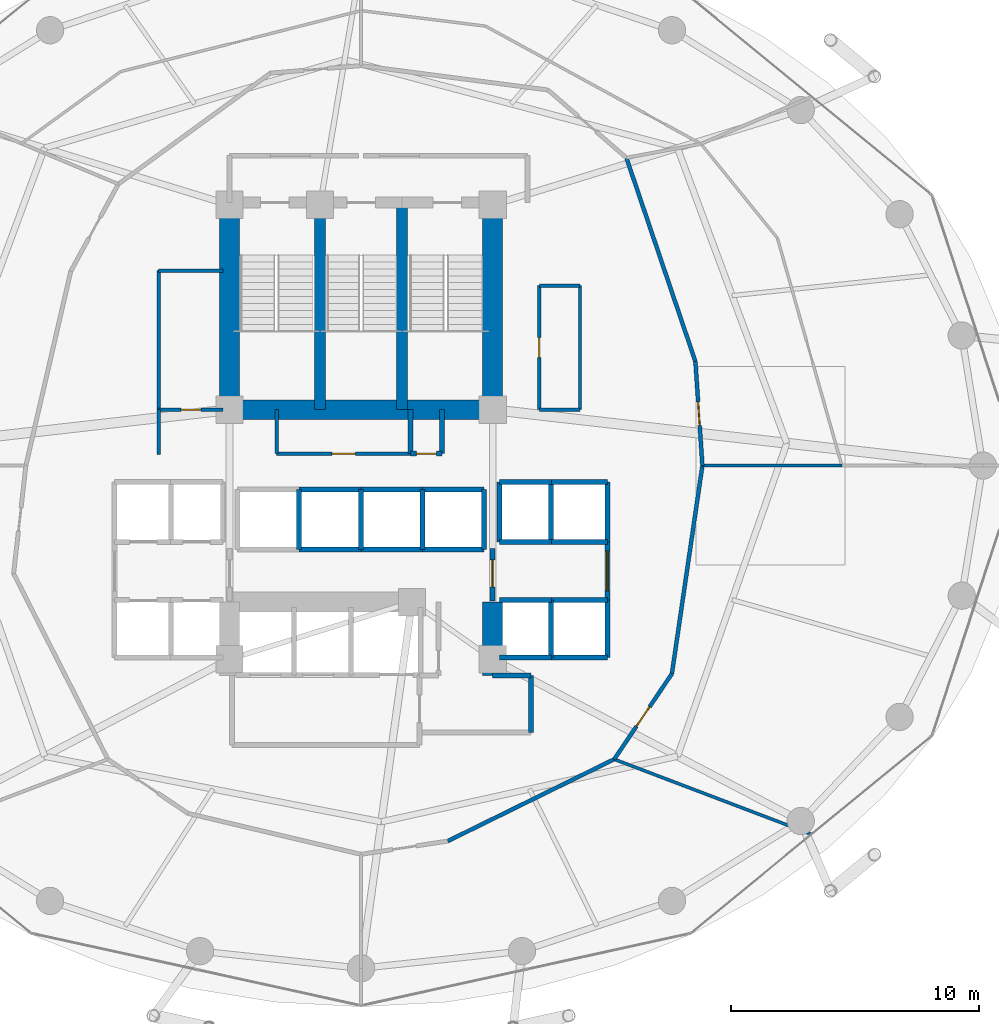
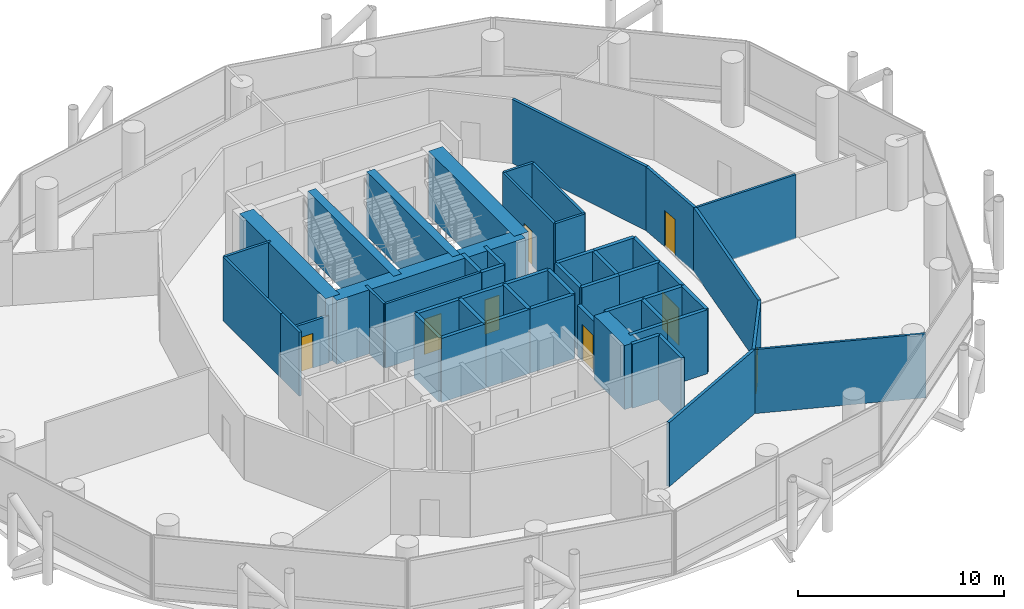
# One storey, part 22 of 26: 53 walls, 8 doors, 8 openings.
"""IFC4 building model written with IfcOpenShell, lengths in metres."""

from ifc_helpers import new_model, si_unit, direction, frame, frame_2d, origin, place, context, subcontext, project, spatial, rectangle, extrude, material, layer, layer_set, type_object, element, fill, save


model = new_model("IFC4")

# Units and contexts
model_context = context("Model", 3, precision=1e-05, world=origin(), true_north=direction((0.0, 1.0)))
body_context = subcontext(model_context, "Body", "Model", "MODEL_VIEW")
ifc_project = project(units=[si_unit("LENGTHUNIT", "METRE"), si_unit("AREAUNIT", "SQUARE_METRE"), si_unit("VOLUMEUNIT", "CUBIC_METRE"), si_unit("PLANEANGLEUNIT", "RADIAN"), si_unit("MASSUNIT", "GRAM", prefix="KILO")], contexts=[model_context])

# Site, building, storey
site_placement = place(None, origin())
site = spatial("IfcSite", under=ifc_project, at=site_placement, CompositionType="ELEMENT")
building_placement = place(site_placement, origin())
building = spatial("IfcBuilding", under=site, at=building_placement, Name="Nuhasar Tower", CompositionType="ELEMENT")
storey_placement = place(building_placement, frame((0.0, 0.0, 53.39990234375)))
storey = spatial("IfcBuildingStorey", under=building, at=storey_placement, Name="L12", CompositionType="ELEMENT", Elevation=53.39990234375)

# Walls
ifc_material_1 = material(Name="Concrete C50/60", Category="concrete")
ifc_layer_1 = layer(ifc_material_1, 0.449951171875)
ifc_layer_set_1 = layer_set([ifc_layer_1], Name="Concrete C50/60")
wall_type_1 = type_object("IfcWallType", Name="WL-CORE-450", PredefinedType="SHEAR", material=ifc_layer_set_1)
for number, where, z_axis, x_axis, name in (
    (1, (37.35009765625, 29.050048828125, 0.0), (0.0, 0.0, 1.0), (0.0, 1.0, 0.0), "L12 Stairwell Shear Wall ST01-E"),
    (2, (40.64990234375, 29.050048828125, 0.0), (0.0, 0.0, 1.0), (0.0, 1.0, 0.0), "L12 Stairwell Shear Wall ST03-E"),
):
    element("IfcWall", number, at=place(storey_placement, frame(where, z_axis=z_axis, x_axis=x_axis)), inside=storey, type_object=wall_type_1, Name=name, PredefinedType="SHEAR", context=body_context, shape_type="SweptSolid", body=[
        extrude(rectangle(XDim=8.349853515625, YDim=0.449951171875, at=frame_2d((4.1748046875, 0.0))), origin(), (0.0, 0.0, 1.0), 3.800048828125),
    ])
ifc_material_2 = material(Name="Concrete C80/95", Category="concrete")
ifc_layer_2 = layer(ifc_material_2, 0.800048828125)
ifc_layer_set_2 = layer_set([ifc_layer_2], Name="Concrete C80/95")
wall_type_2 = type_object("IfcWallType", Name="WL-CORE-800", PredefinedType="SHEAR", material=ifc_layer_set_2)
for number, where, z_axis, x_axis, name in (
    (3, (33.699951171875, 29.050048828125, 0.0), (0.0, 0.0, 1.0), (0.0, 1.0, 0.0), "L12 Core Shear Wall CW-NW CW-800"),
    (4, (44.300048828125, 29.050048828125, 0.0), (0.0, 0.0, 1.0), (0.0, 1.0, 0.0), "L12 Core Shear Wall CW-NE CW-800"),
):
    element("IfcWall", number, at=place(storey_placement, frame(where, z_axis=z_axis, x_axis=x_axis)), inside=storey, type_object=wall_type_2, Name=name, PredefinedType="SHEAR", context=body_context, shape_type="SweptSolid", body=[
        extrude(rectangle(XDim=8.349853515625, YDim=0.800048828125, at=frame_2d((4.1748046875, 0.0))), origin(), (0.0, 0.0, 1.0), 3.800048828125),
    ])
wall_1_placement = place(storey_placement, frame((44.300048828125, 18.35009765625, 0.0), z_axis=(0.0, 0.0, 1.0), x_axis=(0.0, 1.0, 0.0)))
element("IfcWall", 5, at=wall_1_placement, inside=storey, type_object=wall_type_2, Name="L12 Core Shear Wall CW-SE CW-800", PredefinedType="SHEAR", context=body_context, shape_type="SweptSolid", body=[
    extrude(rectangle(XDim=2.949951171875, YDim=0.800048828125, at=frame_2d((1.47509765625, 0.0))), origin(), (0.0, 0.0, 1.0), 3.800048828125),
])
wall_2_placement = place(storey_placement, frame((33.699951171875, 29.050048828125, 0.0), z_axis=(0.0, 0.0, 1.0), x_axis=(1.0, 0.0, 0.0)))
element("IfcWall", 6, at=wall_2_placement, inside=storey, type_object=wall_type_2, Name="L12 Core Shear Wall CW-N1 CW-800", PredefinedType="SHEAR", context=body_context, shape_type="SweptSolid", body=[
    extrude(rectangle(XDim=10.60009765625, YDim=0.800048828125, at=frame_2d((5.300048828125, 0.0))), origin(), (0.0, 0.0, 1.0), 3.800048828125),
])

# Wall, opening, door
ifc_material_3 = material(Name="Gypsum Board", Category="gypsum")
ifc_layer_3 = layer(ifc_material_3, 0.159912109375)
ifc_layer_set_3 = layer_set([ifc_layer_3], Name="Gypsum Board")
wall_type_3 = type_object("IfcWallType", Name="WL-CORR-160", PredefinedType="PARTITIONING", material=ifc_layer_set_3)
wall_3_placement = place(storey_placement, frame((52.469970703125, 30.987060546875, 0.0), z_axis=(0.0, 0.0, 1.0), x_axis=(0.06673138835, -0.997770976632, 0.0)))
wall_3 = element("IfcWall", 7, at=wall_3_placement, inside=storey, type_object=wall_type_3, Name="L12 Interior Partition CORR-00", PredefinedType="PARTITIONING", context=body_context, shape_type="SweptSolid", body=[
    extrude(rectangle(XDim=4.1962890625, YDim=0.159912109375, at=frame_2d((2.09814453125, 0.0))), origin(), (0.0, 0.0, 1.0), 3.800048828125),
])
opening_1_placement = place(wall_3_placement, frame((1.623046875, 0.0, 0.0)))
opening_1 = element("IfcOpeningElement", 8, at=opening_1_placement, cuts=wall_3, Name="Opening DO-01", PredefinedType="OPENING", context=body_context, shape_type="SweptSolid", body=[
    extrude(rectangle(XDim=0.949951171875, YDim=2.14990234375, at=frame_2d((0.47509765625, 1.074951171875))), frame((0.0, 0.08984375, 0.0), z_axis=(0.0, -1.0, 0.0), x_axis=(1.0, 0.0, 0.0)), (0.0, 0.0, 1.0), 0.179931640625),
])
ifc_material_4 = material(Name="Timber Oak", Category="wood")
door_type_1 = type_object("IfcDoorType", Name="DR-OFFICE-FD30-950", OperationType="NOTDEFINED", PredefinedType="DOOR", material=ifc_material_4)
door_1_placement = place(opening_1_placement, origin())
door_1 = element("IfcDoor", 9, at=door_1_placement, inside=storey, type_object=door_type_1, Name="L12 Legal Chambers A Entry Door", OperationType="SINGLE_SWING_LEFT", OverallHeight=2.14990234375, OverallWidth=0.949951171875, PredefinedType="DOOR", context=body_context, shape_type="SweptSolid", body=[
    extrude(rectangle(XDim=0.949951171875, YDim=2.14990234375, at=frame_2d((0.47509765625, 1.074951171875))), frame((0.0, 0.02490234375, 0.0), z_axis=(0.0, -1.0, 0.0), x_axis=(1.0, 0.0, 0.0)), (0.0, 0.0, 1.0), 0.050048828125),
])
fill(opening_1, door_1)

# Walls
wall_4_placement = place(storey_placement, frame((52.469970703125, 30.987060546875, 0.0), z_axis=(0.0, 0.0, 1.0), x_axis=(-0.320794809252, 0.947148716072, 0.0)))
element("IfcWall", 10, at=wall_4_placement, inside=storey, type_object=wall_type_3, Name="L12 Interior Partition CORR-02", PredefinedType="PARTITIONING", context=body_context, shape_type="SweptSolid", body=[
    extrude(rectangle(XDim=8.669189453125, YDim=0.159912109375, at=frame_2d((4.33447265625, 0.0))), origin(), (0.0, 0.0, 1.0), 3.800048828125),
])
wall_5_placement = place(storey_placement, frame((42.493896484375, 11.674072265625, 0.0), z_axis=(0.0, 0.0, 1.0), x_axis=(0.897439047431, 0.441138477291, 0.0)))
element("IfcWall", 11, at=wall_5_placement, inside=storey, type_object=wall_type_3, Name="L12 Interior Partition CORR-38", PredefinedType="PARTITIONING", context=body_context, shape_type="SweptSolid", body=[
    extrude(rectangle(XDim=7.471435546875, YDim=0.159912109375, at=frame_2d((3.73583984375, 0.0))), origin(), (0.0, 0.0, 1.0), 3.800048828125),
])

# Wall, opening, door
wall_6_placement = place(storey_placement, frame((51.52197265625, 18.4140625, 0.0), z_axis=(0.0, 0.0, 1.0), x_axis=(-0.559181123292, -0.829045518264, 0.0)))
wall_6 = element("IfcWall", 12, at=wall_6_placement, inside=storey, type_object=wall_type_3, Name="L12 Interior Partition CORR-42", PredefinedType="PARTITIONING", context=body_context, shape_type="SweptSolid", body=[
    extrude(rectangle(XDim=4.154296875, YDim=0.159912109375, at=frame_2d((2.0771484375, 0.0))), origin(), (0.0, 0.0, 1.0), 3.800048828125),
])
opening_2_placement = place(wall_6_placement, frame((1.60205078125, 0.0, 0.0)))
opening_2 = element("IfcOpeningElement", 13, at=opening_2_placement, cuts=wall_6, Name="Opening DO-01", PredefinedType="OPENING", context=body_context, shape_type="SweptSolid", body=[
    extrude(rectangle(XDim=0.949951171875, YDim=2.14990234375, at=frame_2d((0.47509765625, 1.074951171875))), frame((0.0, 0.08984375, 0.0), z_axis=(0.0, -1.0, 0.0), x_axis=(1.0, 0.0, 0.0)), (0.0, 0.0, 1.0), 0.179931640625),
])
door_2_placement = place(opening_2_placement, origin())
door_2 = element("IfcDoor", 14, at=door_2_placement, inside=storey, type_object=door_type_1, Name="L12 Evidence Filing Store Entry Door", OperationType="SINGLE_SWING_LEFT", OverallHeight=2.14990234375, OverallWidth=0.949951171875, PredefinedType="DOOR", context=body_context, shape_type="SweptSolid", body=[
    extrude(rectangle(XDim=0.949951171875, YDim=2.14990234375, at=frame_2d((0.47509765625, 1.074951171875))), frame((0.0, 0.02490234375, 0.0), z_axis=(0.0, -1.0, 0.0), x_axis=(1.0, 0.0, 0.0)), (0.0, 0.0, 1.0), 0.050048828125),
])
fill(opening_2, door_2)

# Wall
wall_7_placement = place(storey_placement, frame((51.52197265625, 18.4140625, 0.0), z_axis=(0.0, 0.0, 1.0), x_axis=(0.14489272673, 0.989447369869, 0.0)))
element("IfcWall", 15, at=wall_7_placement, inside=storey, type_object=wall_type_3, Name="L12 Interior Partition CORR-44", PredefinedType="PARTITIONING", context=body_context, shape_type="SweptSolid", body=[
    extrude(rectangle(XDim=8.475341796875, YDim=0.159912109375, at=frame_2d((4.23779296875, 0.0))), origin(), (0.0, 0.0, 1.0), 3.800048828125),
])

# Wall, opening, door
ifc_material_5 = material(Name="Concrete C45/55", Category="concrete")
ifc_layer_4 = layer(ifc_material_5, 0.199951171875)
ifc_layer_set_4 = layer_set([ifc_layer_4], Name="Concrete C45/55")
wall_type_4 = type_object("IfcWallType", Name="WL-LOBBY-200", PredefinedType="SOLIDWALL", material=ifc_layer_set_4)
wall_8_placement = place(storey_placement, frame((48.929931640625, 21.3798828125, 0.0), z_axis=(0.0, 0.0, 1.0), x_axis=(0.0, 1.0, 0.0)))
wall_8 = element("IfcWall", 16, at=wall_8_placement, inside=storey, type_object=wall_type_4, Name="L12 Interior Partition LLBM-E", PredefinedType="SOLIDWALL", context=body_context, shape_type="SweptSolid", body=[
    extrude(rectangle(XDim=2.340087890625, YDim=0.199951171875, at=frame_2d((1.169921875, 0.0))), origin(), (0.0, 0.0, 1.0), 3.800048828125),
])
opening_3_placement = place(wall_8_placement, frame((0.3701171875, 0.0, 0.0)))
opening_3 = element("IfcOpeningElement", 17, at=opening_3_placement, cuts=wall_8, Name="Opening DC-01", PredefinedType="OPENING", context=body_context, shape_type="SweptSolid", body=[
    extrude(rectangle(XDim=1.60009765625, YDim=2.199951171875, at=frame_2d((0.800048828125, 1.10009765625))), frame((0.0, 0.10986328125, 0.0), z_axis=(0.0, -1.0, 0.0), x_axis=(1.0, 0.0, 0.0)), (0.0, 0.0, 1.0), 0.219970703125),
])
ifc_material_6 = material(Name="Steel S355", Category="steel")
door_type_2 = type_object("IfcDoorType", Name="DR-CORR-FD60-1600", OperationType="DOUBLE_DOOR_SINGLE_SWING", PredefinedType="DOOR", material=ifc_material_6)
door_3_placement = place(opening_3_placement, origin())
door_3 = element("IfcDoor", 18, at=door_3_placement, inside=storey, type_object=door_type_2, Name="L12 Mid-Rise Lift Lobby East Entry", OperationType="DOUBLE_DOOR_SINGLE_SWING", OverallHeight=2.199951171875, OverallWidth=1.60009765625, PredefinedType="DOOR", context=body_context, shape_type="SweptSolid", body=[
    extrude(rectangle(XDim=1.60009765625, YDim=2.199951171875, at=frame_2d((0.800048828125, 1.10009765625))), frame((0.0, 0.02490234375, 0.0), z_axis=(0.0, -1.0, 0.0), x_axis=(1.0, 0.0, 0.0)), (0.0, 0.0, 1.0), 0.050048828125),
])
fill(opening_3, door_3)

wall_9_placement = place(storey_placement, frame((44.300048828125, 21.35009765625, 0.0), z_axis=(0.0, 0.0, 1.0), x_axis=(0.0, 1.0, 0.0)))
wall_9 = element("IfcWall", 19, at=wall_9_placement, inside=storey, type_object=wall_type_4, Name="L12 Interior Partition LLBH-E", PredefinedType="SOLIDWALL", context=body_context, shape_type="SweptSolid", body=[
    extrude(rectangle(XDim=2.099853515625, YDim=0.199951171875, at=frame_2d((1.0498046875, 0.0))), origin(), (0.0, 0.0, 1.0), 3.02001953125),
])
opening_4_placement = place(wall_9_placement, frame((0.550048828125, 0.0, 0.0)))
opening_4 = element("IfcOpeningElement", 20, at=opening_4_placement, cuts=wall_9, Name="Opening DS-02", PredefinedType="OPENING", context=body_context, shape_type="SweptSolid", body=[
    extrude(rectangle(XDim=1.10009765625, YDim=2.14990234375, at=frame_2d((0.550048828125, 1.074951171875))), frame((0.0, 0.10986328125, 0.0), z_axis=(0.0, -1.0, 0.0), x_axis=(1.0, 0.0, 0.0)), (0.0, 0.0, 1.0), 0.219970703125),
])
door_type_3 = type_object("IfcDoorType", Name="DR-FFL-FD120-1100", OperationType="NOTDEFINED", PredefinedType="DOOR", material=ifc_material_6)
door_4_placement = place(opening_4_placement, origin())
door_4 = element("IfcDoor", 21, at=door_4_placement, inside=storey, type_object=door_type_3, Name="L12 High-Rise Lobby East Door", OperationType="SINGLE_SWING_RIGHT", OverallHeight=2.14990234375, OverallWidth=1.10009765625, PredefinedType="DOOR", context=body_context, shape_type="SweptSolid", body=[
    extrude(rectangle(XDim=1.10009765625, YDim=2.14990234375, at=frame_2d((0.550048828125, 1.074951171875))), frame((0.0, 0.02490234375, 0.0), z_axis=(0.0, -1.0, 0.0), x_axis=(1.0, 0.0, 0.0)), (0.0, 0.0, 1.0), 0.050048828125),
])
fill(opening_4, door_4)

# Walls
wall_10_placement = place(storey_placement, frame((45.85009765625, 16.050048828125, 0.0), z_axis=(0.0, 0.0, 1.0), x_axis=(0.0, 1.0, 0.0)))
element("IfcWall", 22, at=wall_10_placement, inside=storey, type_object=wall_type_4, Name="L12 Interior Partition SVLV-E", PredefinedType="SOLIDWALL", context=body_context, shape_type="SweptSolid", body=[
    extrude(rectangle(XDim=2.300048828125, YDim=0.199951171875, at=frame_2d((1.14990234375, 0.0))), origin(), (0.0, 0.0, 1.0), 3.800048828125),
])
wall_11_placement = place(storey_placement, frame((44.300048828125, 18.35009765625, 0.0), z_axis=(0.0, 0.0, 1.0), x_axis=(1.0, 0.0, 0.0)))
element("IfcWall", 23, at=wall_11_placement, inside=storey, type_object=wall_type_4, Name="L12 Interior Partition SVLV-N", PredefinedType="SOLIDWALL", context=body_context, shape_type="SweptSolid", body=[
    extrude(rectangle(XDim=1.550048828125, YDim=0.199951171875, at=frame_2d((0.77490234375, 0.0))), origin(), (0.0, 0.0, 1.0), 3.800048828125),
])
ifc_layer_5 = layer(ifc_material_3, 0.125)
ifc_layer_set_5 = layer_set([ifc_layer_5], Name="Gypsum Board")
wall_type_5 = type_object("IfcWallType", Name="WL-PART-125", PredefinedType="PARTITIONING", material=ifc_layer_set_5)
wall_12_placement = place(storey_placement, frame((52.75, 26.800048828125, 0.0), z_axis=(0.0, 0.0, 1.0), x_axis=(1.0, 0.0, 0.0)))
element("IfcWall", 24, at=wall_12_placement, inside=storey, type_object=wall_type_5, Name="L12 Interior Partition ORAD-00-S1", PredefinedType="PARTITIONING", context=body_context, shape_type="SweptSolid", body=[
    extrude(rectangle(XDim=5.616943359375, YDim=0.125, at=frame_2d((2.80859375, 0.0))), origin(), (0.0, 0.0, 1.0), 3.800048828125),
])
wall_13_placement = place(storey_placement, frame((49.198974609375, 14.969970703125, 0.0), z_axis=(0.0, 0.0, 1.0), x_axis=(0.934775541041, -0.355238916605, 0.0)))
element("IfcWall", 25, at=wall_13_placement, inside=storey, type_object=wall_type_5, Name="L12 Interior Partition ORAD-42", PredefinedType="PARTITIONING", context=body_context, shape_type="SweptSolid", body=[
    extrude(rectangle(XDim=8.470458984375, YDim=0.125, at=frame_2d((4.2353515625, 0.0))), origin(), (0.0, 0.0, 1.0), 3.800048828125),
])
ifc_layer_6 = layer(ifc_material_5, 0.199951171875)
ifc_layer_set_6 = layer_set([ifc_layer_6], Name="Concrete C45/55")
wall_type_6 = type_object("IfcWallType", Name="WL-SHAFT-200", PredefinedType="SOLIDWALL", material=ifc_layer_set_6)
for number, where, z_axis, x_axis, name in (
    (26, (41.0, 27.280029296875, 0.0), (0.0, 0.0, 1.0), (0.0, 1.0, 0.0), "L12 Interior Partition RSRN-W"),
    (27, (42.260009765625, 27.280029296875, 0.0), (0.0, 0.0, 1.0), (0.0, 1.0, 0.0), "L12 Interior Partition RSRN-E"),
):
    element("IfcWall", number, at=place(storey_placement, frame(where, z_axis=z_axis, x_axis=x_axis)), inside=storey, type_object=wall_type_6, Name=name, PredefinedType="SOLIDWALL", context=body_context, shape_type="SweptSolid", body=[
        extrude(rectangle(XDim=1.77001953125, YDim=0.199951171875, at=frame_2d((0.885009765625, 0.0))), origin(), (0.0, 0.0, 1.0), 3.800048828125),
    ])

# Wall, opening, door
wall_14_placement = place(storey_placement, frame((41.0, 27.280029296875, 0.0), z_axis=(0.0, 0.0, 1.0), x_axis=(1.0, 0.0, 0.0)))
wall_14 = element("IfcWall", 28, at=wall_14_placement, inside=storey, type_object=wall_type_6, Name="L12 Interior Partition RSRN-S", PredefinedType="SOLIDWALL", context=body_context, shape_type="SweptSolid", body=[
    extrude(rectangle(XDim=1.260009765625, YDim=0.199951171875, at=frame_2d((0.6298828125, 0.0))), origin(), (0.0, 0.0, 1.0), 3.800048828125),
])
opening_5_placement = place(wall_14_placement, frame((0.22998046875, 0.0, 0.0)))
opening_5 = element("IfcOpeningElement", 29, at=opening_5_placement, cuts=wall_14, Name="Opening DM-01", PredefinedType="OPENING", context=body_context, shape_type="SweptSolid", body=[
    extrude(rectangle(XDim=0.800048828125, YDim=2.050048828125, at=frame_2d((0.39990234375, 1.02490234375))), frame((0.0, 0.10986328125, 0.0), z_axis=(0.0, -1.0, 0.0), x_axis=(1.0, 0.0, 0.0)), (0.0, 0.0, 1.0), 0.219970703125),
])
door_type_4 = type_object("IfcDoorType", Name="DR-RISER-FD60-800", OperationType="NOTDEFINED", PredefinedType="DOOR", material=ifc_material_6)
door_5_placement = place(opening_5_placement, origin())
door_5 = element("IfcDoor", 30, at=door_5_placement, inside=storey, type_object=door_type_4, Name="L12 North Smoke Riser Door", OperationType="SINGLE_SWING_RIGHT", OverallHeight=2.050048828125, OverallWidth=0.800048828125, PredefinedType="DOOR", context=body_context, shape_type="SweptSolid", body=[
    extrude(rectangle(XDim=0.800048828125, YDim=2.050048828125, at=frame_2d((0.39990234375, 1.02490234375))), frame((0.0, 0.02490234375, 0.0), z_axis=(0.0, -1.0, 0.0), x_axis=(1.0, 0.0, 0.0)), (0.0, 0.0, 1.0), 0.050048828125),
])
fill(opening_5, door_5)

# Walls
for number, where, z_axis, x_axis, name in (
    (31, (44.570068359375, 23.719970703125, 0.0), (0.0, 0.0, 1.0), (1.0, 0.0, 0.0), "L12 Interior Partition SHF-PL-M01-S"),
    (32, (44.570068359375, 26.1298828125, 0.0), (0.0, 0.0, 1.0), (1.0, 0.0, 0.0), "L12 Interior Partition SHF-PL-M01-N"),
):
    element("IfcWall", number, at=place(storey_placement, frame(where, z_axis=z_axis, x_axis=x_axis)), inside=storey, type_object=wall_type_6, Name=name, PredefinedType="SOLIDWALL", context=body_context, shape_type="SweptSolid", body=[
        extrude(rectangle(XDim=2.10986328125, YDim=0.199951171875, at=frame_2d((1.054931640625, 0.0))), origin(), (0.0, 0.0, 1.0), 3.800048828125),
    ])
for number, where, z_axis, x_axis, name in (
    (33, (44.570068359375, 23.719970703125, 0.0), (0.0, 0.0, 1.0), (0.0, 1.0, 0.0), "L12 Interior Partition SHF-PL-M01-W"),
    (34, (46.64990234375, 23.719970703125, 0.0), (0.0, 0.0, 1.0), (0.0, 1.0, 0.0), "L12 Interior Partition SHF-PL-M01-E"),
):
    element("IfcWall", number, at=place(storey_placement, frame(where, z_axis=z_axis, x_axis=x_axis)), inside=storey, type_object=wall_type_6, Name=name, PredefinedType="SOLIDWALL", context=body_context, shape_type="SweptSolid", body=[
        extrude(rectangle(XDim=2.409912109375, YDim=0.199951171875, at=frame_2d((1.205078125, 0.0))), origin(), (0.0, 0.0, 1.0), 3.800048828125),
    ])
for number, where, z_axis, x_axis, name in (
    (35, (46.6201171875, 23.719970703125, 0.0), (0.0, 0.0, 1.0), (1.0, 0.0, 0.0), "L12 Interior Partition SHF-PL-M02-S"),
    (36, (46.6201171875, 26.1298828125, 0.0), (0.0, 0.0, 1.0), (1.0, 0.0, 0.0), "L12 Interior Partition SHF-PL-M02-N"),
):
    element("IfcWall", number, at=place(storey_placement, frame(where, z_axis=z_axis, x_axis=x_axis)), inside=storey, type_object=wall_type_6, Name=name, PredefinedType="SOLIDWALL", context=body_context, shape_type="SweptSolid", body=[
        extrude(rectangle(XDim=2.309814453125, YDim=0.199951171875, at=frame_2d((1.15478515625, 0.0))), origin(), (0.0, 0.0, 1.0), 3.800048828125),
    ])
wall_15_placement = place(storey_placement, frame((48.929931640625, 23.719970703125, 0.0), z_axis=(0.0, 0.0, 1.0), x_axis=(0.0, 1.0, 0.0)))
element("IfcWall", 37, at=wall_15_placement, inside=storey, type_object=wall_type_6, Name="L12 Interior Partition SHF-PL-M02-E", PredefinedType="SOLIDWALL", context=body_context, shape_type="SweptSolid", body=[
    extrude(rectangle(XDim=2.409912109375, YDim=0.199951171875, at=frame_2d((1.205078125, 0.0))), origin(), (0.0, 0.0, 1.0), 3.800048828125),
])
for number, where, z_axis, x_axis, name in (
    (38, (44.570068359375, 19.070068359375, 0.0), (0.0, 0.0, 1.0), (1.0, 0.0, 0.0), "L12 Interior Partition SHF-PL-M03-S"),
    (39, (44.570068359375, 21.3798828125, 0.0), (0.0, 0.0, 1.0), (1.0, 0.0, 0.0), "L12 Interior Partition SHF-PL-M03-N"),
):
    element("IfcWall", number, at=place(storey_placement, frame(where, z_axis=z_axis, x_axis=x_axis)), inside=storey, type_object=wall_type_6, Name=name, PredefinedType="SOLIDWALL", context=body_context, shape_type="SweptSolid", body=[
        extrude(rectangle(XDim=2.10986328125, YDim=0.199951171875, at=frame_2d((1.054931640625, 0.0))), origin(), (0.0, 0.0, 1.0), 3.800048828125),
    ])
for number, where, z_axis, x_axis, name in (
    (40, (46.64990234375, 19.070068359375, 0.0), (0.0, 0.0, 1.0), (0.0, 1.0, 0.0), "L12 Interior Partition SHF-PL-M03-E"),
    (41, (46.6201171875, 19.070068359375, 0.0), (0.0, 0.0, 1.0), (1.0, 0.0, 0.0), "L12 Interior Partition SHF-PL-M04-S"),
    (42, (46.6201171875, 21.3798828125, 0.0), (0.0, 0.0, 1.0), (1.0, 0.0, 0.0), "L12 Interior Partition SHF-PL-M04-N"),
    (43, (48.929931640625, 19.070068359375, 0.0), (0.0, 0.0, 1.0), (0.0, 1.0, 0.0), "L12 Interior Partition SHF-PL-M04-E"),
):
    element("IfcWall", number, at=place(storey_placement, frame(where, z_axis=z_axis, x_axis=x_axis)), inside=storey, type_object=wall_type_6, Name=name, PredefinedType="SOLIDWALL", context=body_context, shape_type="SweptSolid", body=[
        extrude(rectangle(XDim=2.309814453125, YDim=0.199951171875, at=frame_2d((1.15478515625, 0.0))), origin(), (0.0, 0.0, 1.0), 3.800048828125),
    ])
wall_16_placement = place(storey_placement, frame((36.510009765625, 23.419921875, 0.0), z_axis=(0.0, 0.0, 1.0), x_axis=(0.0, 1.0, 0.0)))
element("IfcWall", 44, at=wall_16_placement, inside=storey, type_object=wall_type_6, Name="L12 Interior Partition SHF-PL-H01-E", PredefinedType="SOLIDWALL", context=body_context, shape_type="SweptSolid", body=[
    extrude(rectangle(XDim=2.41015625, YDim=0.199951171875, at=frame_2d((1.205078125, 0.0))), origin(), (0.0, 0.0, 1.0), 3.800048828125),
])
for number, where, z_axis, x_axis, name in (
    (45, (36.5, 23.419921875, 0.0), (0.0, 0.0, 1.0), (1.0, 0.0, 0.0), "L12 Interior Partition SHF-PL-H02-S"),
    (46, (36.5, 25.830078125, 0.0), (0.0, 0.0, 1.0), (1.0, 0.0, 0.0), "L12 Interior Partition SHF-PL-H02-N"),
):
    element("IfcWall", number, at=place(storey_placement, frame(where, z_axis=z_axis, x_axis=x_axis)), inside=storey, type_object=wall_type_6, Name=name, PredefinedType="SOLIDWALL", context=body_context, shape_type="SweptSolid", body=[
        extrude(rectangle(XDim=2.5, YDim=0.199951171875, at=frame_2d((1.25, 0.0))), origin(), (0.0, 0.0, 1.0), 3.800048828125),
    ])
wall_17_placement = place(storey_placement, frame((38.989990234375, 23.419921875, 0.0), z_axis=(0.0, 0.0, 1.0), x_axis=(0.0, 1.0, 0.0)))
element("IfcWall", 47, at=wall_17_placement, inside=storey, type_object=wall_type_6, Name="L12 Interior Partition SHF-PL-H02-E", PredefinedType="SOLIDWALL", context=body_context, shape_type="SweptSolid", body=[
    extrude(rectangle(XDim=2.41015625, YDim=0.199951171875, at=frame_2d((1.205078125, 0.0))), origin(), (0.0, 0.0, 1.0), 3.800048828125),
])
for number, where, z_axis, x_axis, name in (
    (48, (38.97998046875, 23.419921875, 0.0), (0.0, 0.0, 1.0), (1.0, 0.0, 0.0), "L12 Interior Partition SHF-PL-H03-S"),
    (49, (38.97998046875, 25.830078125, 0.0), (0.0, 0.0, 1.0), (1.0, 0.0, 0.0), "L12 Interior Partition SHF-PL-H03-N"),
):
    element("IfcWall", number, at=place(storey_placement, frame(where, z_axis=z_axis, x_axis=x_axis)), inside=storey, type_object=wall_type_6, Name=name, PredefinedType="SOLIDWALL", context=body_context, shape_type="SweptSolid", body=[
        extrude(rectangle(XDim=2.5, YDim=0.199951171875, at=frame_2d((1.25, 0.0))), origin(), (0.0, 0.0, 1.0), 3.800048828125),
    ])
wall_18_placement = place(storey_placement, frame((41.469970703125, 23.419921875, 0.0), z_axis=(0.0, 0.0, 1.0), x_axis=(0.0, 1.0, 0.0)))
element("IfcWall", 50, at=wall_18_placement, inside=storey, type_object=wall_type_6, Name="L12 Interior Partition SHF-PL-H03-E", PredefinedType="SOLIDWALL", context=body_context, shape_type="SweptSolid", body=[
    extrude(rectangle(XDim=2.41015625, YDim=0.199951171875, at=frame_2d((1.205078125, 0.0))), origin(), (0.0, 0.0, 1.0), 3.800048828125),
])
for number, where, z_axis, x_axis, name in (
    (51, (41.4599609375, 23.419921875, 0.0), (0.0, 0.0, 1.0), (1.0, 0.0, 0.0), "L12 Interior Partition SHF-PL-H04-S"),
    (52, (41.4599609375, 25.830078125, 0.0), (0.0, 0.0, 1.0), (1.0, 0.0, 0.0), "L12 Interior Partition SHF-PL-H04-N"),
):
    element("IfcWall", number, at=place(storey_placement, frame(where, z_axis=z_axis, x_axis=x_axis)), inside=storey, type_object=wall_type_6, Name=name, PredefinedType="SOLIDWALL", context=body_context, shape_type="SweptSolid", body=[
        extrude(rectangle(XDim=2.5, YDim=0.199951171875, at=frame_2d((1.25, 0.0))), origin(), (0.0, 0.0, 1.0), 3.800048828125),
    ])
wall_19_placement = place(storey_placement, frame((43.9599609375, 23.419921875, 0.0), z_axis=(0.0, 0.0, 1.0), x_axis=(0.0, 1.0, 0.0)))
element("IfcWall", 53, at=wall_19_placement, inside=storey, type_object=wall_type_6, Name="L12 Interior Partition SHF-PL-H04-E", PredefinedType="SOLIDWALL", context=body_context, shape_type="SweptSolid", body=[
    extrude(rectangle(XDim=2.41015625, YDim=0.199951171875, at=frame_2d((1.205078125, 0.0))), origin(), (0.0, 0.0, 1.0), 3.800048828125),
])
ifc_material_7 = material(Name="Concrete C40/50 precast", Category="concrete")
ifc_layer_7 = layer(ifc_material_7, 0.139892578125)
ifc_layer_set_7 = layer_set([ifc_layer_7], Name="Concrete C40/50 precast")
wall_type_7 = type_object("IfcWallType", Name="WL-WET-140", PredefinedType="PARTITIONING", material=ifc_layer_set_7)
wall_20_placement = place(storey_placement, frame((35.60009765625, 27.280029296875, 0.0), z_axis=(0.0, 0.0, 1.0), x_axis=(0.0, 1.0, 0.0)))
element("IfcWall", 54, at=wall_20_placement, inside=storey, type_object=wall_type_7, Name="L12 Interior Partition CSVC-W", PredefinedType="PARTITIONING", context=body_context, shape_type="SweptSolid", body=[
    extrude(rectangle(XDim=1.77001953125, YDim=0.139892578125, at=frame_2d((0.885009765625, 0.0))), origin(), (0.0, 0.0, 1.0), 3.800048828125),
])

# Wall, opening, door
wall_21_placement = place(storey_placement, frame((35.60009765625, 27.280029296875, 0.0), z_axis=(0.0, 0.0, 1.0), x_axis=(1.0, 0.0, 0.0)))
wall_21 = element("IfcWall", 55, at=wall_21_placement, inside=storey, type_object=wall_type_7, Name="L12 Interior Partition CSVC-S", PredefinedType="PARTITIONING", context=body_context, shape_type="SweptSolid", body=[
    extrude(rectangle(XDim=5.39990234375, YDim=0.139892578125, at=frame_2d((2.699951171875, 0.0))), origin(), (0.0, 0.0, 1.0), 3.800048828125),
])
opening_6_placement = place(wall_21_placement, frame((2.22509765625, 0.0, 0.0)))
opening_6 = element("IfcOpeningElement", 56, at=opening_6_placement, cuts=wall_21, Name="Opening DA-01", PredefinedType="OPENING", context=body_context, shape_type="SweptSolid", body=[
    extrude(rectangle(XDim=0.949951171875, YDim=2.10009765625, at=frame_2d((0.47509765625, 1.050048828125))), frame((0.0, 0.080078125, 0.0), z_axis=(0.0, -1.0, 0.0), x_axis=(1.0, 0.0, 0.0)), (0.0, 0.0, 1.0), 0.159912109375),
])
door_type_5 = type_object("IfcDoorType", Name="DR-ACCWC-950", OperationType="NOTDEFINED", PredefinedType="DOOR", material=ifc_material_4)
door_6_placement = place(opening_6_placement, origin())
door_6 = element("IfcDoor", 57, at=door_6_placement, inside=storey, type_object=door_type_5, Name="L12 Core Accessible Restroom Door", OperationType="SINGLE_SWING_RIGHT", OverallHeight=2.10009765625, OverallWidth=0.949951171875, PredefinedType="DOOR", context=body_context, shape_type="SweptSolid", body=[
    extrude(rectangle(XDim=0.949951171875, YDim=2.10009765625, at=frame_2d((0.47509765625, 1.050048828125))), frame((0.0, 0.02490234375, 0.0), z_axis=(0.0, -1.0, 0.0), x_axis=(1.0, 0.0, 0.0)), (0.0, 0.0, 1.0), 0.050048828125),
])
fill(opening_6, door_6)

# Wall
wall_22_placement = place(storey_placement, frame((30.85009765625, 27.239990234375, 0.0), z_axis=(0.0, 0.0, 1.0), x_axis=(0.0, 1.0, 0.0)))
element("IfcWall", 58, at=wall_22_placement, inside=storey, type_object=wall_type_7, Name="L12 Interior Partition K3-FOY-W", PredefinedType="PARTITIONING", context=body_context, shape_type="SweptSolid", body=[
    extrude(rectangle(XDim=1.81005859375, YDim=0.139892578125, at=frame_2d((0.905029296875, 0.0))), origin(), (0.0, 0.0, 1.0), 3.800048828125),
])

# Wall, opening, door
wall_23_placement = place(storey_placement, frame((30.85009765625, 29.050048828125, 0.0), z_axis=(0.0, 0.0, 1.0), x_axis=(1.0, 0.0, 0.0)))
wall_23 = element("IfcWall", 59, at=wall_23_placement, inside=storey, type_object=wall_type_7, Name="L12 Interior Partition K3-NW-S", PredefinedType="PARTITIONING", context=body_context, shape_type="SweptSolid", body=[
    extrude(rectangle(XDim=2.599853515625, YDim=0.139892578125, at=frame_2d((1.2998046875, 0.0))), origin(), (0.0, 0.0, 1.0), 2.7900390625),
])
opening_7_placement = place(wall_23_placement, frame((0.89990234375, 0.0, 0.0)))
opening_7 = element("IfcOpeningElement", 60, at=opening_7_placement, cuts=wall_23, Name="Opening DM-01", PredefinedType="OPENING", context=body_context, shape_type="SweptSolid", body=[
    extrude(rectangle(XDim=0.800048828125, YDim=2.050048828125, at=frame_2d((0.39990234375, 1.02490234375))), frame((0.0, 0.080078125, 0.0), z_axis=(0.0, -1.0, 0.0), x_axis=(1.0, 0.0, 0.0)), (0.0, 0.0, 1.0), 0.159912109375),
])
door_7_placement = place(opening_7_placement, origin())
door_7 = element("IfcDoor", 61, at=door_7_placement, inside=storey, type_object=door_type_4, Name="L12 NW Electrical Room Door", OperationType="SINGLE_SWING_RIGHT", OverallHeight=2.050048828125, OverallWidth=0.800048828125, PredefinedType="DOOR", context=body_context, shape_type="SweptSolid", body=[
    extrude(rectangle(XDim=0.800048828125, YDim=2.050048828125, at=frame_2d((0.39990234375, 1.02490234375))), frame((0.0, 0.02490234375, 0.0), z_axis=(0.0, -1.0, 0.0), x_axis=(1.0, 0.0, 0.0)), (0.0, 0.0, 1.0), 0.050048828125),
])
fill(opening_7, door_7)

# Walls
wall_24_placement = place(storey_placement, frame((30.85009765625, 34.64990234375, 0.0), z_axis=(0.0, 0.0, 1.0), x_axis=(1.0, 0.0, 0.0)))
element("IfcWall", 62, at=wall_24_placement, inside=storey, type_object=wall_type_7, Name="L12 Interior Partition K3-NW-N", PredefinedType="PARTITIONING", context=body_context, shape_type="SweptSolid", body=[
    extrude(rectangle(XDim=2.599853515625, YDim=0.139892578125, at=frame_2d((1.2998046875, 0.0))), origin(), (0.0, 0.0, 1.0), 3.800048828125),
])
wall_25_placement = place(storey_placement, frame((30.85009765625, 29.050048828125, 0.0), z_axis=(0.0, 0.0, 1.0), x_axis=(0.0, 1.0, 0.0)))
element("IfcWall", 63, at=wall_25_placement, inside=storey, type_object=wall_type_7, Name="L12 Interior Partition K3-NW-W", PredefinedType="PARTITIONING", context=body_context, shape_type="SweptSolid", body=[
    extrude(rectangle(XDim=5.599853515625, YDim=0.139892578125, at=frame_2d((2.7998046875, 0.0))), origin(), (0.0, 0.0, 1.0), 3.800048828125),
])

# Wall, opening, door
wall_26_placement = place(storey_placement, frame((46.179931640625, 34.050048828125, 0.0), z_axis=(0.0, 0.0, 1.0), x_axis=(0.0, -1.0, 0.0)))
wall_26 = element("IfcWall", 64, at=wall_26_placement, inside=storey, type_object=wall_type_7, Name="L12 Interior Partition K3-NE-W", PredefinedType="PARTITIONING", context=body_context, shape_type="SweptSolid", body=[
    extrude(rectangle(XDim=5.0, YDim=0.139892578125, at=frame_2d((2.5, 0.0))), origin(), (0.0, 0.0, 1.0), 3.800048828125),
])
opening_8_placement = place(wall_26_placement, frame((2.10009765625, 0.0, 0.0)))
opening_8 = element("IfcOpeningElement", 65, at=opening_8_placement, cuts=wall_26, Name="Opening DM-01", PredefinedType="OPENING", context=body_context, shape_type="SweptSolid", body=[
    extrude(rectangle(XDim=0.800048828125, YDim=2.050048828125, at=frame_2d((0.39990234375, 1.02490234375))), frame((0.0, 0.080078125, 0.0), z_axis=(0.0, -1.0, 0.0), x_axis=(1.0, 0.0, 0.0)), (0.0, 0.0, 1.0), 0.159912109375),
])
door_8_placement = place(opening_8_placement, origin())
door_8 = element("IfcDoor", 66, at=door_8_placement, inside=storey, type_object=door_type_4, Name="L12 NE Switchgear Room Door", OperationType="SINGLE_SWING_LEFT", OverallHeight=2.050048828125, OverallWidth=0.800048828125, PredefinedType="DOOR", context=body_context, shape_type="SweptSolid", body=[
    extrude(rectangle(XDim=0.800048828125, YDim=2.050048828125, at=frame_2d((0.39990234375, 1.02490234375))), frame((0.0, 0.02490234375, 0.0), z_axis=(0.0, -1.0, 0.0), x_axis=(1.0, 0.0, 0.0)), (0.0, 0.0, 1.0), 0.050048828125),
])
fill(opening_8, door_8)

# Walls
for number, where, z_axis, x_axis, name in (
    (67, (46.179931640625, 29.050048828125, 0.0), (0.0, 0.0, 1.0), (1.0, 0.0, 0.0), "L12 Interior Partition K3-NE-S"),
    (68, (46.179931640625, 34.050048828125, 0.0), (0.0, 0.0, 1.0), (1.0, 0.0, 0.0), "L12 Interior Partition K3-NE-N"),
):
    element("IfcWall", number, at=place(storey_placement, frame(where, z_axis=z_axis, x_axis=x_axis)), inside=storey, type_object=wall_type_7, Name=name, PredefinedType="PARTITIONING", context=body_context, shape_type="SweptSolid", body=[
        extrude(rectangle(XDim=1.64013671875, YDim=0.139892578125, at=frame_2d((0.820068359375, 0.0))), origin(), (0.0, 0.0, 1.0), 3.800048828125),
    ])
wall_27_placement = place(storey_placement, frame((47.820068359375, 29.050048828125, 0.0), z_axis=(0.0, 0.0, 1.0), x_axis=(0.0, 1.0, 0.0)))
element("IfcWall", 69, at=wall_27_placement, inside=storey, type_object=wall_type_7, Name="L12 Interior Partition K3-NE-E", PredefinedType="PARTITIONING", context=body_context, shape_type="SweptSolid", body=[
    extrude(rectangle(XDim=5.0, YDim=0.139892578125, at=frame_2d((2.5, 0.0))), origin(), (0.0, 0.0, 1.0), 3.800048828125),
])

save(model, "model.ifc")
